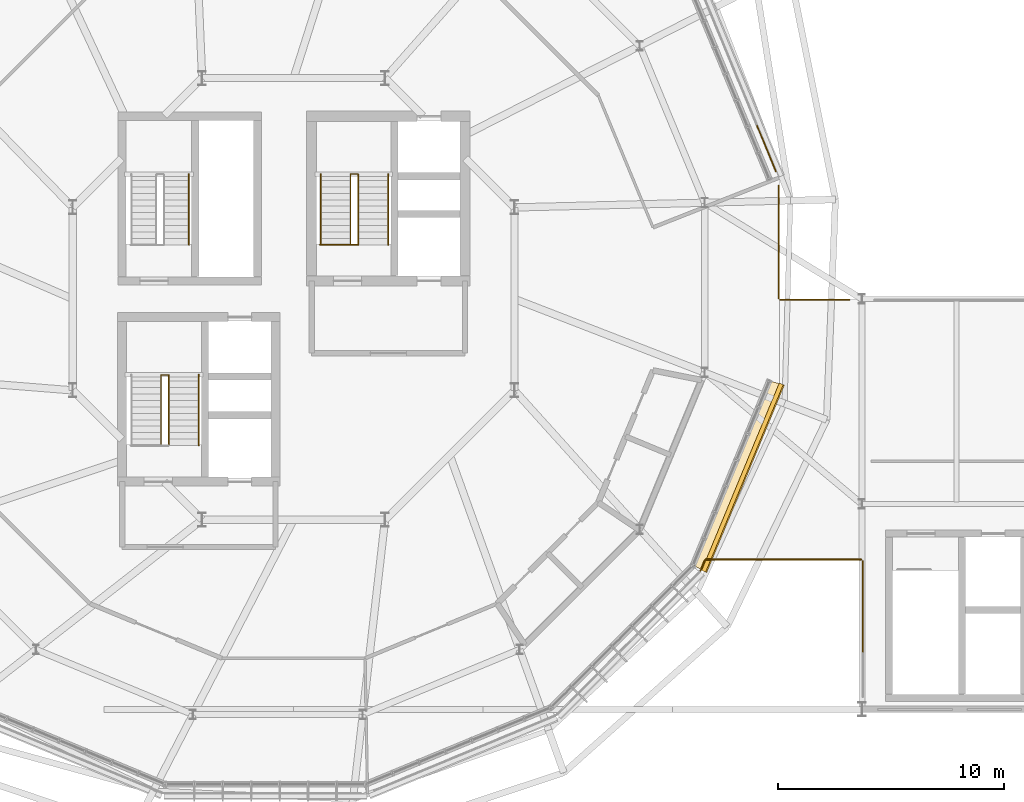
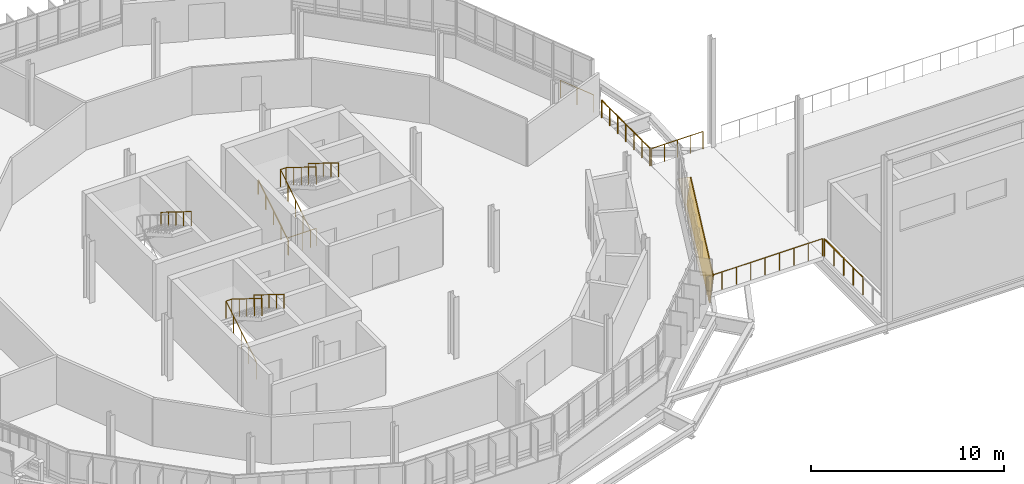
# One storey, part 56 of 61: 20 railings, 2 coverings.
"""IFC4 building model written with IfcOpenShell, lengths in metres."""

import ifcopenshell
import ifcopenshell.guid

model = None  # the IFC model being written
_history = None  # IfcOwnerHistory: only IFC2X3 demands one
_inside = {}  # id of a spatial element -> (the spatial element, [elements in it])
_under = {}  # id of a project, library or spatial element -> (it, [spatial elements below it])
_declared = {}  # id of a project -> (the project, [libraries it declares])
_typed = {}  # id of a type object -> (the type object, [elements of that type])
_made_of = {}  # id of a material, layer set ... -> (it, [elements and type objects made of it])


def new_model(schema):
    """Start an empty IFC model of exactly this schema.

    Asked for "IFC4X3", IfcOpenShell would pick the latest addendum, in which some entities
    have other attributes; the version numbers below select the first issue.
    IFC2X3 requires an IfcOwnerHistory on every rooted entity: one is made here for all.
    """
    global model, _history
    if schema == "IFC4X3":
        model = ifcopenshell.file(schema_version=(4, 3, 0, 0))
    else:
        model = ifcopenshell.file(schema=schema)
    _inside.clear()
    _under.clear()
    _declared.clear()
    _typed.clear()
    _made_of.clear()
    _history = None
    if model.schema == "IFC2X3":
        org = make("IfcOrganization", Name="unknown")
        user = make(
            "IfcPersonAndOrganization",
            ThePerson=make("IfcPerson", FamilyName="unknown"),
            TheOrganization=org,
        )
        app = make(
            "IfcApplication",
            ApplicationDeveloper=org,
            Version="unknown",
            ApplicationFullName="unknown",
            ApplicationIdentifier="unknown",
        )
        _history = make(
            "IfcOwnerHistory",
            OwningUser=user,
            OwningApplication=app,
            ChangeAction="ADDED",
            CreationDate=0,
        )
    return model


def make(cls, **values):
    """One entity of the class cls with the attributes given. An attribute that is None is left unset."""
    return model.create_entity(
        cls, **{name: value for name, value in values.items() if value is not None}
    )


def rooted(cls, **values):
    """An entity with a GlobalId (a new one), such as an element, a storey or a relation."""
    return make(cls, GlobalId=ifcopenshell.guid.new(), OwnerHistory=_history, **values)


def si_unit(unit_type, name, prefix=None):
    """IfcSIUnit, for example si_unit("LENGTHUNIT", "METRE", prefix="MILLI")."""
    return make("IfcSIUnit", UnitType=unit_type, Prefix=prefix, Name=name)


def derived_unit(unit_type, elements):
    """IfcDerivedUnit: a product of units, each with its exponent."""
    return make(
        "IfcDerivedUnit",
        Elements=[
            make("IfcDerivedUnitElement", Unit=unit, Exponent=power)
            for unit, power in elements
        ],
        UnitType=unit_type,
    )


def assignment(units):
    """IfcUnitAssignment: the units of a project."""
    return None if units is None else make("IfcUnitAssignment", Units=units)


def point(xyz):
    """IfcCartesianPoint."""
    return None if xyz is None else make("IfcCartesianPoint", Coordinates=xyz)


def direction(xyz):
    """IfcDirection."""
    return None if xyz is None else make("IfcDirection", DirectionRatios=xyz)


def frame(location, z_axis=None, x_axis=None):
    """IfcAxis2Placement3D, a coordinate frame: its origin and axes. An axis left out is left unset."""
    return make(
        "IfcAxis2Placement3D",
        Location=point(location),
        Axis=direction(z_axis),
        RefDirection=direction(x_axis),
    )


def frame_2d(location, x_axis=None):
    """IfcAxis2Placement2D, a coordinate frame in the plane: its origin and x axis."""
    return make(
        "IfcAxis2Placement2D", Location=point(location), RefDirection=direction(x_axis)
    )


def origin():
    """The frame at (0, 0, 0) with its axes left unset."""
    return frame((0.0, 0.0, 0.0))


def origin_2d():
    """The frame at (0, 0) in the plane with its x axis left unset."""
    return frame_2d((0.0, 0.0))


def place(relative_to, where):
    """IfcLocalPlacement: puts the frame where relative to a parent placement (None: the world)."""
    return make(
        "IfcLocalPlacement", PlacementRelTo=relative_to, RelativePlacement=where
    )


def context(
    kind, dimensions, precision=None, world=None, true_north=None, identifier=None
):
    """IfcGeometricRepresentationContext, for example the 3D "Model" context."""
    return make(
        "IfcGeometricRepresentationContext",
        ContextIdentifier=identifier,
        ContextType=kind,
        CoordinateSpaceDimension=dimensions,
        Precision=precision,
        WorldCoordinateSystem=world,
        TrueNorth=true_north,
    )


def subcontext(parent, identifier, kind, view, scale=None):
    """IfcGeometricRepresentationSubContext, for example "Body" below "Model"."""
    return make(
        "IfcGeometricRepresentationSubContext",
        ContextIdentifier=identifier,
        ContextType=kind,
        ParentContext=parent,
        TargetScale=scale,
        TargetView=view,
    )


def project(units=None, contexts=None):
    """IfcProject with its units and contexts."""
    return rooted(
        "IfcProject",
        Name="project",
        RepresentationContexts=contexts,
        UnitsInContext=assignment(units),
    )


def spatial(cls, under=None, at=None, **own):
    """A site, building, storey or space (cls), placed at a placement, below another one or the project."""
    s = rooted(cls, ObjectPlacement=at, **own)
    if under is not None:
        _under.setdefault(under.id(), (under, []))[1].append(s)
    return s


def polyline(points):
    """IfcPolyline through the points."""
    return make("IfcPolyline", Points=[point(p) for p in points])


def profile(cls, at=None, kind="AREA", **sizes):
    """A parametric profile (cls). Its sizes go by their IFC names, for example OverallWidth=200.0."""
    return make(cls, ProfileType=kind, Position=at, **sizes)


def circle(**sizes):
    """IfcCircleProfileDef."""
    return profile("IfcCircleProfileDef", **sizes)


def outline(outer, holes=None, kind="AREA"):
    """IfcArbitraryClosedProfileDef: a profile drawn as a closed curve; with holes, ...WithVoids."""
    if holes is None:
        return make("IfcArbitraryClosedProfileDef", ProfileType=kind, OuterCurve=outer)
    return make(
        "IfcArbitraryProfileDefWithVoids",
        ProfileType=kind,
        OuterCurve=outer,
        InnerCurves=holes,
    )


def extrude(swept, where, along, depth):
    """IfcExtrudedAreaSolid: the profile swept, set in the frame where, extruded along a direction by depth."""
    return make(
        "IfcExtrudedAreaSolid",
        SweptArea=swept,
        Position=where,
        ExtrudedDirection=direction(along),
        Depth=depth,
    )


def shape(context_of_items, identifier, shape_type, items):
    """IfcShapeRepresentation: the items that make up one representation, for example the "Body"."""
    return make(
        "IfcShapeRepresentation",
        ContextOfItems=context_of_items,
        RepresentationIdentifier=identifier,
        RepresentationType=shape_type,
        Items=items,
    )


def material(Name=None, Category=None):
    """IfcMaterial."""
    return make("IfcMaterial", Name=Name, Category=Category)


def layer(
    of_material, thickness, ventilated=None, Name=None, Category=None, Priority=None
):
    """IfcMaterialLayer: one layer of a wall or slab, of a material (None: an air gap)."""
    return make(
        "IfcMaterialLayer",
        Material=of_material,
        LayerThickness=thickness,
        IsVentilated=ventilated,
        Name=Name,
        Category=Category,
        Priority=Priority,
    )


def layer_set(layers, Name=None):
    """IfcMaterialLayerSet."""
    return make("IfcMaterialLayerSet", MaterialLayers=layers, LayerSetName=Name)


def made_of(thing, what):
    """Note that an element or type object is made of a material, layer set ...; save() writes the relation."""
    if what is not None:
        _made_of.setdefault(what.id(), (what, []))[1].append(thing)
    return thing


def type_object(cls, material=None, **own):
    """A type object (cls), such as IfcWallType, which elements share."""
    return made_of(rooted(cls, **own), material)


def element(
    cls,
    number,
    at=None,
    inside=None,
    cuts=None,
    type_object=None,
    material=None,
    context=None,
    identifier="Body",
    shape_type=None,
    held_by="IfcProductDefinitionShape",
    body=None,
    shapes=None,
    **own,
):
    """One element of the class cls, such as IfcWall. Its Tag is "e" and its number.

    at: its placement. inside: the storey or other place that contains it. cuts: it is an
    opening in that element (IfcRelVoidsElement). A single representation is given by context,
    identifier, shape_type and body (its items); several are given by shapes. held_by: the class
    of the entity that holds the representations. save() writes the other relations.
    """
    e = rooted(cls, Tag="e%d" % number, ObjectPlacement=at, **own)
    if body is not None:
        shapes = [shape(context, identifier, shape_type, body)]
    if shapes is not None:
        e.Representation = make(held_by, Representations=shapes)
    if inside is not None:
        _inside.setdefault(inside.id(), (inside, []))[1].append(e)
    if cuts is not None:
        rooted(
            "IfcRelVoidsElement", RelatingBuildingElement=cuts, RelatedOpeningElement=e
        )
    if type_object is not None:
        _typed.setdefault(type_object.id(), (type_object, []))[1].append(e)
    return made_of(e, material)


def aggregate(whole, parts):
    """IfcRelAggregates: a whole, such as a stair, and the parts it consists of."""
    return rooted("IfcRelAggregates", RelatingObject=whole, RelatedObjects=parts)


def save(model, path):
    """Write the relations noted so far, then the file.

    IfcRelAggregates (storeys below a building ...), IfcRelContainedInSpatialStructure (elements
    in a storey), IfcRelDefinesByType, IfcRelAssociatesMaterial and IfcRelDeclares: one each for
    every whole, place, type object, material and project.
    """
    for whole, parts in _under.values():
        aggregate(whole, parts)
    for where, things in _inside.values():
        rooted(
            "IfcRelContainedInSpatialStructure",
            RelatedElements=things,
            RelatingStructure=where,
        )
    for kind, things in _typed.values():
        rooted("IfcRelDefinesByType", RelatedObjects=things, RelatingType=kind)
    for what, things in _made_of.values():
        rooted("IfcRelAssociatesMaterial", RelatedObjects=things, RelatingMaterial=what)
    for by, libraries in _declared.values():
        rooted("IfcRelDeclares", RelatingContext=by, RelatedDefinitions=libraries)
    model.write(path)


model = new_model("IFC4")

# Units and contexts
model_context = context("Model", 3, precision=1e-05, world=origin(), true_north=direction((0.0, 1.0)))
body_context = subcontext(model_context, "Body", "Model", "MODEL_VIEW")
ifc_project = project(units=[si_unit("LENGTHUNIT", "METRE"), si_unit("AREAUNIT", "SQUARE_METRE"), si_unit("VOLUMEUNIT", "CUBIC_METRE"), si_unit("PLANEANGLEUNIT", "RADIAN"), si_unit("MASSUNIT", "GRAM", prefix="KILO"), derived_unit("THERMALTRANSMITTANCEUNIT", [(si_unit("MASSUNIT", "GRAM", prefix="KILO"), 1), (si_unit("TIMEUNIT", "SECOND"), -3), (si_unit("THERMODYNAMICTEMPERATUREUNIT", "KELVIN"), -1)])], contexts=[model_context])

# Site, building, storey
site_placement = place(None, origin())
site = spatial("IfcSite", under=ifc_project, at=site_placement, CompositionType="ELEMENT")
building_placement = place(site_placement, origin())
building = spatial("IfcBuilding", under=site, at=building_placement, Name="Makaiwela Harbour Ferry Terminal", CompositionType="ELEMENT")
storey_placement = place(building_placement, frame((0.0, 0.0, 13.800048828125)))
storey = spatial("IfcBuildingStorey", under=building, at=storey_placement, Name="L03", CompositionType="ELEMENT", Elevation=13.800048828125)

# Coverings
ifc_material_1 = material(Name="White glazed marine ceramic rainscreen tile", Category="masonry")
ifc_layer = layer(ifc_material_1, 0.054931640625)
ifc_layer_set = layer_set([ifc_layer], Name="White glazed marine ceramic rainscreen tile")
covering_type = type_object("IfcCoveringType", Name="ENV-CLD-CERAMIC", PredefinedType="CLADDING", material=ifc_layer_set)
covering_1_placement = place(storey_placement, frame((55.895263671875, 55.560791015625, -0.219970703125), z_axis=(-0.918363703026, 0.380405778211, 0.109085071701), x_axis=(0.38268942864, 0.92387704875, -7.96688e-07)))
element("IfcCovering", 1, at=covering_1_placement, inside=storey, type_object=covering_type, Name="Ceramic Spandrel Facet CLD-0093", PredefinedType="CLADDING", context=body_context, shape_type="SweptSolid", body=[
    extrude(outline(polyline([(0.0, 0.0), (8.991568668948071, 5.551115123125783e-17), (8.991675978844434, -1.750443312735073), (-0.00021167606003141717, -1.7504288995209478), (0.0, 0.0)])), origin(), (0.0, 0.0, -1.0), 0.054931640625),
])
covering_2_placement = place(storey_placement, frame((0.0, 0.0, 1.47998046875)))
element("IfcCovering", 2, at=covering_2_placement, inside=storey, type_object=covering_type, Name="Ceramic Ring Sill Cap CLD-0094", PredefinedType="CLADDING", context=body_context, shape_type="SweptSolid", body=[
    extrude(outline(polyline([(56.071533203125, 55.487548828125), (59.5126953125, 63.794921875), (58.900390625, 63.964111328125), (55.51904296875, 55.80078125), (56.071533203125, 55.487548828125)])), origin(), (0.0, 0.0, 1.0), 0.054931640625),
])

# Railings
ifc_material_2 = material(Name="Marine grade 316L brushed stainless steel", Category="steel")
railing_type_1 = type_object("IfcRailingType", Name="INT-RL-GRD110", PredefinedType="GUARDRAIL", material=ifc_material_2)
railing_1_placement = place(storey_placement, frame((38.969970703125, 70.0, 0.0)))
element("IfcRailing", 3, at=railing_1_placement, inside=storey, type_object=railing_type_1, Name="Stair top well guardrail RL-0010", PredefinedType="GUARDRAIL", context=body_context, shape_type="SweptSolid", body=[
    extrude(circle(Radius=0.02392578125, at=origin_2d()), frame((0.0, 0.0, 1.09619140625), z_axis=(1.0, 0.0, 0.0), x_axis=(0.0, 1.0, 0.0)), (0.0, 0.0, 1.0), 1.696044921875),
    extrude(circle(Radius=0.02099609375, at=origin_2d()), origin(), (0.0, 0.0, 1.0), 1.072021484375),
    extrude(circle(Radius=0.02099609375, at=origin_2d()), frame((0.84814453125, 0.0, 0.0)), (0.0, 0.0, 1.0), 1.072021484375),
    extrude(circle(Radius=0.02099609375, at=origin_2d()), frame((1.696044921875, 0.0, 0.0)), (0.0, 0.0, 1.0), 1.072021484375),
])
railing_2_placement = place(storey_placement, frame((40.325927734375, 70.0, 0.0)))
element("IfcRailing", 4, at=railing_2_placement, inside=storey, type_object=railing_type_1, Name="Stair well guardrail RL-0013", PredefinedType="GUARDRAIL", context=body_context, shape_type="SweptSolid", body=[
    extrude(circle(Radius=0.02392578125, at=origin_2d()), frame((0.0, 0.0, 1.09619140625), z_axis=(0.0, 0.849144259976, 0.528160984692), x_axis=(-1.0, 0.0, 0.0)), (0.0, 0.0, 1.0), 3.69189453125),
    extrude(circle(Radius=0.02392578125, at=origin_2d()), frame((0.0, 3.135009765625, 3.0458984375), z_axis=(1.0, 0.0, 0.0), x_axis=(0.0, 1.0, 0.0)), (0.0, 0.0, 1.0), 0.340087890625),
    extrude(circle(Radius=0.02392578125, at=origin_2d()), frame((0.340087890625, 3.135009765625, 3.0458984375), z_axis=(0.0, -0.849144259976, 0.528160984692), x_axis=(1.0, 0.0, 0.0)), (0.0, 0.0, 1.0), 3.69189453125),
    extrude(circle(Radius=0.02099609375, at=origin_2d()), origin(), (0.0, 0.0, 1.0), 1.072021484375),
    extrude(circle(Radius=0.02099609375, at=origin_2d()), frame((0.0, 0.78369140625, 0.487548828125)), (0.0, 0.0, 1.0), 1.072021484375),
    extrude(circle(Radius=0.02099609375, at=origin_2d()), frame((0.0, 1.5673828125, 0.97509765625)), (0.0, 0.0, 1.0), 1.072021484375),
    extrude(circle(Radius=0.02099609375, at=origin_2d()), frame((0.0, 2.351318359375, 1.46240234375)), (0.0, 0.0, 1.0), 1.072021484375),
    extrude(circle(Radius=0.02099609375, at=origin_2d()), frame((0.0, 3.135009765625, 1.949951171875)), (0.0, 0.0, 1.0), 1.072021484375),
    extrude(circle(Radius=0.02099609375, at=origin_2d()), frame((0.340087890625, 3.135009765625, 1.949951171875)), (0.0, 0.0, 1.0), 1.072021484375),
    extrude(circle(Radius=0.02099609375, at=origin_2d()), frame((0.340087890625, 2.351318359375, 2.4375)), (0.0, 0.0, 1.0), 1.072021484375),
    extrude(circle(Radius=0.02099609375, at=origin_2d()), frame((0.340087890625, 1.5673828125, 2.9248046875)), (0.0, 0.0, 1.0), 1.072021484375),
    extrude(circle(Radius=0.02099609375, at=origin_2d()), frame((0.340087890625, 0.78369140625, 3.412353515625)), (0.0, 0.0, 1.0), 1.072021484375),
    extrude(circle(Radius=0.02099609375, at=origin_2d()), frame((0.340087890625, 0.0, 3.89990234375)), (0.0, 0.0, 1.0), 1.072021484375),
])
railing_3_placement = place(storey_placement, frame((31.926025390625, 61.10009765625, 0.0)))
element("IfcRailing", 5, at=railing_3_placement, inside=storey, type_object=railing_type_1, Name="Stair well guardrail RL-0033", PredefinedType="GUARDRAIL", context=body_context, shape_type="SweptSolid", body=[
    extrude(circle(Radius=0.02392578125, at=origin_2d()), frame((0.0, 0.0, 1.09619140625), z_axis=(0.0, 0.849144259976, 0.528160984692), x_axis=(-1.0, 0.0, 0.0)), (0.0, 0.0, 1.0), 3.69189453125),
    extrude(circle(Radius=0.02392578125, at=origin_2d()), frame((0.0, 3.135009765625, 3.0458984375), z_axis=(1.0, 0.0, 0.0), x_axis=(0.0, 1.0, 0.0)), (0.0, 0.0, 1.0), 0.340087890625),
    extrude(circle(Radius=0.02392578125, at=origin_2d()), frame((0.340087890625, 3.135009765625, 3.0458984375), z_axis=(0.0, -0.849144259976, 0.528160984692), x_axis=(1.0, 0.0, 0.0)), (0.0, 0.0, 1.0), 3.69189453125),
    extrude(circle(Radius=0.02099609375, at=origin_2d()), origin(), (0.0, 0.0, 1.0), 1.072021484375),
    extrude(circle(Radius=0.02099609375, at=origin_2d()), frame((0.0, 0.78369140625, 0.487548828125)), (0.0, 0.0, 1.0), 1.072021484375),
    extrude(circle(Radius=0.02099609375, at=origin_2d()), frame((0.0, 1.5673828125, 0.97509765625)), (0.0, 0.0, 1.0), 1.072021484375),
    extrude(circle(Radius=0.02099609375, at=origin_2d()), frame((0.0, 2.351318359375, 1.46240234375)), (0.0, 0.0, 1.0), 1.072021484375),
    extrude(circle(Radius=0.02099609375, at=origin_2d()), frame((0.0, 3.135009765625, 1.949951171875)), (0.0, 0.0, 1.0), 1.072021484375),
    extrude(circle(Radius=0.02099609375, at=origin_2d()), frame((0.340087890625, 3.135009765625, 1.949951171875)), (0.0, 0.0, 1.0), 1.072021484375),
    extrude(circle(Radius=0.02099609375, at=origin_2d()), frame((0.340087890625, 2.351318359375, 2.4375)), (0.0, 0.0, 1.0), 1.072021484375),
    extrude(circle(Radius=0.02099609375, at=origin_2d()), frame((0.340087890625, 1.5673828125, 2.9248046875)), (0.0, 0.0, 1.0), 1.072021484375),
    extrude(circle(Radius=0.02099609375, at=origin_2d()), frame((0.340087890625, 0.78369140625, 3.412353515625)), (0.0, 0.0, 1.0), 1.072021484375),
    extrude(circle(Radius=0.02099609375, at=origin_2d()), frame((0.340087890625, 0.0, 3.89990234375)), (0.0, 0.0, 1.0), 1.072021484375),
])
railing_4_placement = place(storey_placement, frame((58.35205078125, 75.275634765625, 0.0)))
element("IfcRailing", 6, at=railing_4_placement, inside=storey, type_object=railing_type_1, Name="Deck edge guardrail RL-0661", PredefinedType="GUARDRAIL", context=body_context, shape_type="SweptSolid", body=[
    extrude(circle(Radius=0.02392578125, at=origin_2d()), frame((0.0, 0.0, 1.09619140625), z_axis=(0.382614973625, -0.923907886078, 0.0), x_axis=(0.923907886078, 0.382614973625, 0.0)), (0.0, 0.0, 1.0), 2.184814453125),
    extrude(circle(Radius=0.02099609375, at=origin_2d()), origin(), (0.0, 0.0, 1.0), 1.072021484375),
    extrude(circle(Radius=0.02099609375, at=origin_2d()), frame((0.41796875, -1.00927734375, 0.0)), (0.0, 0.0, 1.0), 1.072021484375),
    extrude(circle(Radius=0.02099609375, at=origin_2d()), frame((0.8359375, -2.0185546875, 0.0)), (0.0, 0.0, 1.0), 1.072021484375),
])
railing_5_placement = place(storey_placement, frame((59.308349609375, 72.627197265625, 0.0)))
element("IfcRailing", 7, at=railing_5_placement, inside=storey, type_object=railing_type_1, Name="Deck edge guardrail RL-0662", PredefinedType="GUARDRAIL", context=body_context, shape_type="SweptSolid", body=[
    extrude(circle(Radius=0.02392578125, at=origin_2d()), frame((0.0, 0.0, 1.09619140625), z_axis=(0.0, -1.0, 0.0), x_axis=(1.0, 0.0, 0.0)), (0.0, 0.0, 1.0), 1.669189453125),
    extrude(circle(Radius=0.02099609375, at=origin_2d()), origin(), (0.0, 0.0, 1.0), 1.072021484375),
    extrude(circle(Radius=0.02099609375, at=origin_2d()), frame((0.0, -0.83447265625, 0.0)), (0.0, 0.0, 1.0), 1.072021484375),
    extrude(circle(Radius=0.02099609375, at=origin_2d()), frame((0.0, -1.669189453125, 0.0)), (0.0, 0.0, 1.0), 1.072021484375),
])
for number, where, name in (
    (8, (59.308349609375, 70.9580078125, 0.0), "Deck edge guardrail RL-0663"),
    (9, (59.308349609375, 69.2890625, 0.0), "Deck edge guardrail RL-0664"),
):
    element("IfcRailing", number, at=place(storey_placement, frame(where)), inside=storey, type_object=railing_type_1, Name=name, PredefinedType="GUARDRAIL", context=body_context, shape_type="SweptSolid", body=[
        extrude(circle(Radius=0.02392578125, at=origin_2d()), frame((0.0, 0.0, 1.09619140625), z_axis=(0.0, -1.0, 0.0), x_axis=(1.0, 0.0, 0.0)), (0.0, 0.0, 1.0), 1.6689453125),
        extrude(circle(Radius=0.02099609375, at=origin_2d()), origin(), (0.0, 0.0, 1.0), 1.072021484375),
        extrude(circle(Radius=0.02099609375, at=origin_2d()), frame((0.0, -0.83447265625, 0.0)), (0.0, 0.0, 1.0), 1.072021484375),
        extrude(circle(Radius=0.02099609375, at=origin_2d()), frame((0.0, -1.6689453125, 0.0)), (0.0, 0.0, 1.0), 1.072021484375),
    ])
railing_6_placement = place(storey_placement, frame((59.373291015625, 67.554931640625, 0.0)))
element("IfcRailing", 10, at=railing_6_placement, inside=storey, type_object=railing_type_1, Name="Deck edge guardrail RL-0665", PredefinedType="GUARDRAIL", context=body_context, shape_type="SweptSolid", body=[
    extrude(circle(Radius=0.02392578125, at=origin_2d()), frame((0.0, 0.0, 1.09619140625), z_axis=(1.0, 0.0, 0.0), x_axis=(0.0, 1.0, 0.0)), (0.0, 0.0, 1.0), 1.53955078125),
    extrude(circle(Radius=0.02099609375, at=origin_2d()), origin(), (0.0, 0.0, 1.0), 1.072021484375),
    extrude(circle(Radius=0.02099609375, at=origin_2d()), frame((0.769775390625, 0.0, 0.0)), (0.0, 0.0, 1.0), 1.072021484375),
    extrude(circle(Radius=0.02099609375, at=origin_2d()), frame((1.53955078125, 0.0, 0.0)), (0.0, 0.0, 1.0), 1.072021484375),
])
railing_7_placement = place(storey_placement, frame((60.912841796875, 67.554931640625, 0.0)))
element("IfcRailing", 11, at=railing_7_placement, inside=storey, type_object=railing_type_1, Name="Deck edge guardrail RL-0666", PredefinedType="GUARDRAIL", context=body_context, shape_type="SweptSolid", body=[
    extrude(circle(Radius=0.02392578125, at=origin_2d()), frame((0.0, 0.0, 1.09619140625), z_axis=(1.0, 0.0, 0.0), x_axis=(0.0, 1.0, 0.0)), (0.0, 0.0, 1.0), 1.539306640625),
    extrude(circle(Radius=0.02099609375, at=origin_2d()), origin(), (0.0, 0.0, 1.0), 1.072021484375),
    extrude(circle(Radius=0.02099609375, at=origin_2d()), frame((0.76953125, 0.0, 0.0)), (0.0, 0.0, 1.0), 1.072021484375),
    extrude(circle(Radius=0.02099609375, at=origin_2d()), frame((1.539306640625, 0.0, 0.0)), (0.0, 0.0, 1.0), 1.072021484375),
])
for number, where, name in (
    (12, (63.044921875, 51.95849609375, 0.0), "Deck edge guardrail RL-0715"),
    (13, (63.044921875, 53.96923828125, 0.0), "Deck edge guardrail RL-0716"),
):
    element("IfcRailing", number, at=place(storey_placement, frame(where)), inside=storey, type_object=railing_type_1, Name=name, PredefinedType="GUARDRAIL", context=body_context, shape_type="SweptSolid", body=[
        extrude(circle(Radius=0.02392578125, at=origin_2d()), frame((0.0, 0.0, 1.09619140625), z_axis=(0.0, 1.0, 0.0), x_axis=(-1.0, 0.0, 0.0)), (0.0, 0.0, 1.0), 2.0107421875),
        extrude(circle(Radius=0.02099609375, at=origin_2d()), origin(), (0.0, 0.0, 1.0), 1.072021484375),
        extrude(circle(Radius=0.02099609375, at=origin_2d()), frame((0.0, 1.00537109375, 0.0)), (0.0, 0.0, 1.0), 1.072021484375),
        extrude(circle(Radius=0.02099609375, at=origin_2d()), frame((0.0, 2.0107421875, 0.0)), (0.0, 0.0, 1.0), 1.072021484375),
    ])
railing_8_placement = place(storey_placement, frame((62.97998046875, 56.044921875, 0.0)))
element("IfcRailing", 14, at=railing_8_placement, inside=storey, type_object=railing_type_1, Name="Deck edge guardrail RL-0717", PredefinedType="GUARDRAIL", context=body_context, shape_type="SweptSolid", body=[
    extrude(circle(Radius=0.02392578125, at=origin_2d()), frame((0.0, 0.0, 1.09619140625), z_axis=(-1.0, 0.0, 0.0), x_axis=(0.0, -1.0, 0.0)), (0.0, 0.0, 1.0), 1.724365234375),
    extrude(circle(Radius=0.02099609375, at=origin_2d()), origin(), (0.0, 0.0, 1.0), 1.072021484375),
    extrude(circle(Radius=0.02099609375, at=origin_2d()), frame((-0.8623046875, 0.0, 0.0)), (0.0, 0.0, 1.0), 1.072021484375),
    extrude(circle(Radius=0.02099609375, at=origin_2d()), frame((-1.724365234375, 0.0, 0.0)), (0.0, 0.0, 1.0), 1.072021484375),
])
railing_9_placement = place(storey_placement, frame((61.255615234375, 56.044921875, 0.0)))
element("IfcRailing", 15, at=railing_9_placement, inside=storey, type_object=railing_type_1, Name="Deck edge guardrail RL-0718", PredefinedType="GUARDRAIL", context=body_context, shape_type="SweptSolid", body=[
    extrude(circle(Radius=0.02392578125, at=origin_2d()), frame((0.0, 0.0, 1.09619140625), z_axis=(-0.99999998998, -0.000141562852, 0.0), x_axis=(0.000141562852, -0.99999998998, 0.0)), (0.0, 0.0, 1.0), 1.724609375),
    extrude(circle(Radius=0.02099609375, at=origin_2d()), origin(), (0.0, 0.0, 1.0), 1.072021484375),
    extrude(circle(Radius=0.02099609375, at=origin_2d()), frame((-0.8623046875, 0.0, 0.0)), (0.0, 0.0, 1.0), 1.072021484375),
    extrude(circle(Radius=0.02099609375, at=origin_2d()), frame((-1.724609375, -0.000244140625, 0.0)), (0.0, 0.0, 1.0), 1.072021484375),
])
railing_10_placement = place(storey_placement, frame((59.531005859375, 56.044677734375, 0.0)))
element("IfcRailing", 16, at=railing_10_placement, inside=storey, type_object=railing_type_1, Name="Deck edge guardrail RL-0719", PredefinedType="GUARDRAIL", context=body_context, shape_type="SweptSolid", body=[
    extrude(circle(Radius=0.02392578125, at=origin_2d()), frame((0.0, 0.0, 1.09619140625), z_axis=(-0.999999959909, -0.000283165782, 0.0), x_axis=(0.000283165782, -0.999999959909, 0.0)), (0.0, 0.0, 1.0), 1.724365234375),
    extrude(circle(Radius=0.02099609375, at=origin_2d()), origin(), (0.0, 0.0, 1.0), 1.072021484375),
    extrude(circle(Radius=0.02099609375, at=origin_2d()), frame((-0.8623046875, -0.000244140625, 0.0)), (0.0, 0.0, 1.0), 1.072021484375),
    extrude(circle(Radius=0.02099609375, at=origin_2d()), frame((-1.724365234375, -0.00048828125, 0.0)), (0.0, 0.0, 1.0), 1.072021484375),
])
railing_11_placement = place(storey_placement, frame((57.806640625, 56.044189453125, 0.0)))
element("IfcRailing", 17, at=railing_11_placement, inside=storey, type_object=railing_type_1, Name="Deck edge guardrail RL-0720", PredefinedType="GUARDRAIL", context=body_context, shape_type="SweptSolid", body=[
    extrude(circle(Radius=0.02392578125, at=origin_2d()), frame((0.0, 0.0, 1.09619140625), z_axis=(-1.0, 0.0, 0.0), x_axis=(0.0, -1.0, 0.0)), (0.0, 0.0, 1.0), 1.724609375),
    extrude(circle(Radius=0.02099609375, at=origin_2d()), origin(), (0.0, 0.0, 1.0), 1.072021484375),
    extrude(circle(Radius=0.02099609375, at=origin_2d()), frame((-0.8623046875, 0.0, 0.0)), (0.0, 0.0, 1.0), 1.072021484375),
    extrude(circle(Radius=0.02099609375, at=origin_2d()), frame((-1.724609375, 0.0, 0.0)), (0.0, 0.0, 1.0), 1.072021484375),
])
railing_12_placement = place(storey_placement, frame((56.0341796875, 56.0087890625, 0.0)))
element("IfcRailing", 18, at=railing_12_placement, inside=storey, type_object=railing_type_1, Name="Deck edge guardrail RL-0721", PredefinedType="GUARDRAIL", context=body_context, shape_type="SweptSolid", body=[
    extrude(circle(Radius=0.02392578125, at=origin_2d()), frame((0.0, 0.0, 1.09619140625), z_axis=(-0.382770206685, -0.923843584637, 0.0), x_axis=(0.923843584637, -0.382770206685, 0.0)), (0.0, 0.0, 1.0), 0.498046875),
    extrude(circle(Radius=0.02099609375, at=origin_2d()), origin(), (0.0, 0.0, 1.0), 1.072021484375),
    extrude(circle(Radius=0.02099609375, at=origin_2d()), frame((-0.190673828125, -0.460205078125, 0.0)), (0.0, 0.0, 1.0), 1.072021484375),
])
railing_type_2 = type_object("IfcRailingType", Name="INT-RL-HND090", PredefinedType="HANDRAIL", material=ifc_material_2)
railing_13_placement = place(storey_placement, frame((39.0, 70.0, 0.0)))
element("IfcRailing", 19, at=railing_13_placement, inside=storey, type_object=railing_type_2, Name="Stair wall handrail RL-0015", PredefinedType="HANDRAIL", context=body_context, shape_type="SweptSolid", body=[
    extrude(circle(Radius=0.02392578125, at=origin_2d()), frame((0.0, 0.0, 0.89111328125), z_axis=(0.0, 0.849144259976, 0.528160984692), x_axis=(-1.0, 0.0, 0.0)), (0.0, 0.0, 1.0), 3.69189453125),
    extrude(circle(Radius=0.02099609375, at=origin_2d()), origin(), (0.0, 0.0, 1.0), 0.866943359375),
    extrude(circle(Radius=0.02099609375, at=origin_2d()), frame((0.0, 0.78369140625, 0.487548828125)), (0.0, 0.0, 1.0), 0.866943359375),
    extrude(circle(Radius=0.02099609375, at=origin_2d()), frame((0.0, 1.5673828125, 0.97509765625)), (0.0, 0.0, 1.0), 0.866943359375),
    extrude(circle(Radius=0.02099609375, at=origin_2d()), frame((0.0, 2.351318359375, 1.46240234375)), (0.0, 0.0, 1.0), 0.866943359375),
    extrude(circle(Radius=0.02099609375, at=origin_2d()), frame((0.0, 3.135009765625, 1.949951171875)), (0.0, 0.0, 1.0), 0.866943359375),
])
for number, where, name in (
    (20, (41.991943359375, 73.135009765625, 1.949951171875), "Stair upper handrail RL-0016"),
    (21, (33.592041015625, 64.235107421875, 1.949951171875), "Stair upper handrail RL-0036"),
    (22, (33.159912109375, 73.135009765625, 1.949951171875), "Stair upper handrail RL-0056"),
):
    element("IfcRailing", number, at=place(storey_placement, frame(where)), inside=storey, type_object=railing_type_2, Name=name, PredefinedType="HANDRAIL", context=body_context, shape_type="SweptSolid", body=[
        extrude(circle(Radius=0.02392578125, at=origin_2d()), frame((0.0, 0.0, 0.89111328125), z_axis=(0.0, -0.849144259976, 0.528160984692), x_axis=(1.0, 0.0, 0.0)), (0.0, 0.0, 1.0), 3.69189453125),
        extrude(circle(Radius=0.02099609375, at=origin_2d()), origin(), (0.0, 0.0, 1.0), 0.866943359375),
        extrude(circle(Radius=0.02099609375, at=origin_2d()), frame((0.0, -0.78369140625, 0.487548828125)), (0.0, 0.0, 1.0), 0.866943359375),
        extrude(circle(Radius=0.02099609375, at=origin_2d()), frame((0.0, -1.5673828125, 0.97509765625)), (0.0, 0.0, 1.0), 0.866943359375),
        extrude(circle(Radius=0.02099609375, at=origin_2d()), frame((0.0, -2.351318359375, 1.46240234375)), (0.0, 0.0, 1.0), 0.866943359375),
        extrude(circle(Radius=0.02099609375, at=origin_2d()), frame((0.0, -3.135009765625, 1.949951171875)), (0.0, 0.0, 1.0), 0.866943359375),
    ])

save(model, "model.ifc")
